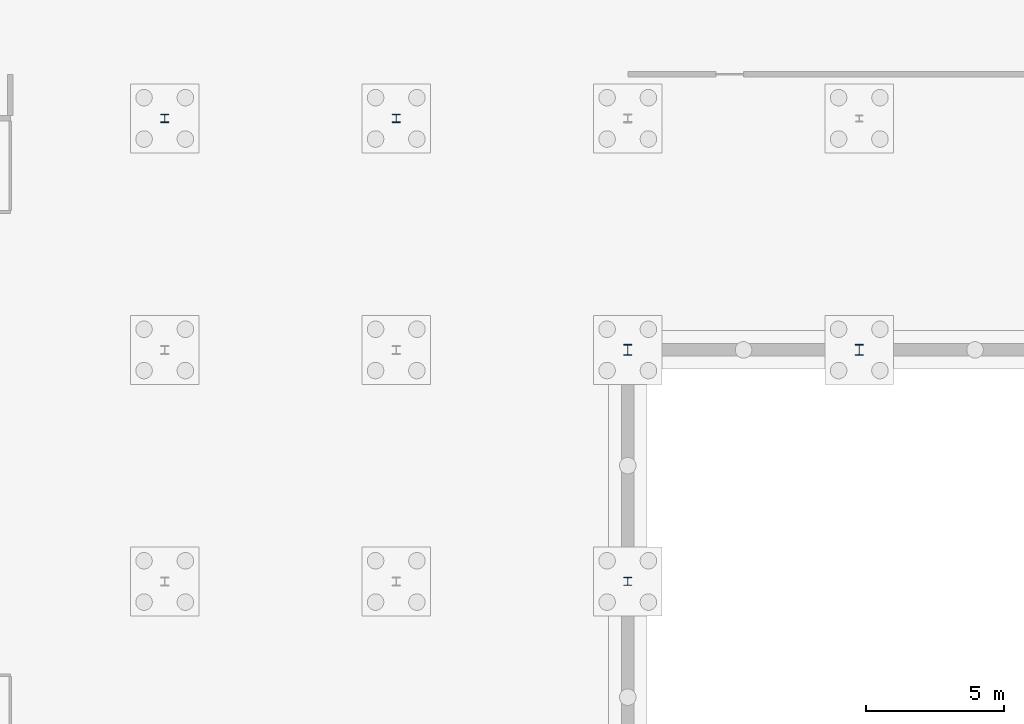
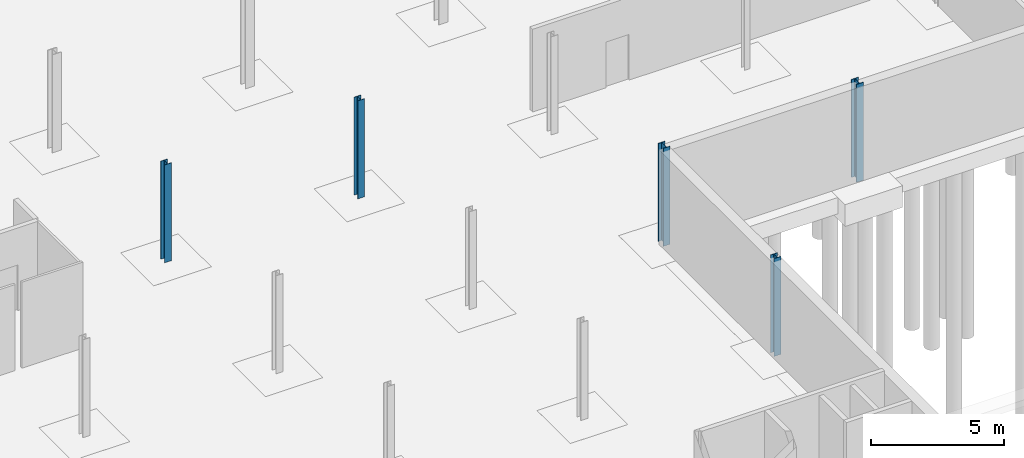
# One storey, part 6 of 35: 5 columns.
"""IFC4 building model written with IfcOpenShell, lengths in metres."""

import ifcopenshell
import ifcopenshell.guid

model = None  # the IFC model being written
_history = None  # IfcOwnerHistory: only IFC2X3 demands one
_inside = {}  # id of a spatial element -> (the spatial element, [elements in it])
_under = {}  # id of a project, library or spatial element -> (it, [spatial elements below it])
_declared = {}  # id of a project -> (the project, [libraries it declares])
_typed = {}  # id of a type object -> (the type object, [elements of that type])
_made_of = {}  # id of a material, layer set ... -> (it, [elements and type objects made of it])


def new_model(schema):
    """Start an empty IFC model of exactly this schema.

    Asked for "IFC4X3", IfcOpenShell would pick the latest addendum, in which some entities
    have other attributes; the version numbers below select the first issue.
    IFC2X3 requires an IfcOwnerHistory on every rooted entity: one is made here for all.
    """
    global model, _history
    if schema == "IFC4X3":
        model = ifcopenshell.file(schema_version=(4, 3, 0, 0))
    else:
        model = ifcopenshell.file(schema=schema)
    _inside.clear()
    _under.clear()
    _declared.clear()
    _typed.clear()
    _made_of.clear()
    _history = None
    if model.schema == "IFC2X3":
        org = make("IfcOrganization", Name="unknown")
        user = make(
            "IfcPersonAndOrganization",
            ThePerson=make("IfcPerson", FamilyName="unknown"),
            TheOrganization=org,
        )
        app = make(
            "IfcApplication",
            ApplicationDeveloper=org,
            Version="unknown",
            ApplicationFullName="unknown",
            ApplicationIdentifier="unknown",
        )
        _history = make(
            "IfcOwnerHistory",
            OwningUser=user,
            OwningApplication=app,
            ChangeAction="ADDED",
            CreationDate=0,
        )
    return model


def make(cls, **values):
    """One entity of the class cls with the attributes given. An attribute that is None is left unset."""
    return model.create_entity(
        cls, **{name: value for name, value in values.items() if value is not None}
    )


def rooted(cls, **values):
    """An entity with a GlobalId (a new one), such as an element, a storey or a relation."""
    return make(cls, GlobalId=ifcopenshell.guid.new(), OwnerHistory=_history, **values)


def si_unit(unit_type, name, prefix=None):
    """IfcSIUnit, for example si_unit("LENGTHUNIT", "METRE", prefix="MILLI")."""
    return make("IfcSIUnit", UnitType=unit_type, Prefix=prefix, Name=name)


def assignment(units):
    """IfcUnitAssignment: the units of a project."""
    return None if units is None else make("IfcUnitAssignment", Units=units)


def point(xyz):
    """IfcCartesianPoint."""
    return None if xyz is None else make("IfcCartesianPoint", Coordinates=xyz)


def direction(xyz):
    """IfcDirection."""
    return None if xyz is None else make("IfcDirection", DirectionRatios=xyz)


def frame(location, z_axis=None, x_axis=None):
    """IfcAxis2Placement3D, a coordinate frame: its origin and axes. An axis left out is left unset."""
    return make(
        "IfcAxis2Placement3D",
        Location=point(location),
        Axis=direction(z_axis),
        RefDirection=direction(x_axis),
    )


def frame_2d(location, x_axis=None):
    """IfcAxis2Placement2D, a coordinate frame in the plane: its origin and x axis."""
    return make(
        "IfcAxis2Placement2D", Location=point(location), RefDirection=direction(x_axis)
    )


def origin():
    """The frame at (0, 0, 0) with its axes left unset."""
    return frame((0.0, 0.0, 0.0))


def origin_2d():
    """The frame at (0, 0) in the plane with its x axis left unset."""
    return frame_2d((0.0, 0.0))


def place(relative_to, where):
    """IfcLocalPlacement: puts the frame where relative to a parent placement (None: the world)."""
    return make(
        "IfcLocalPlacement", PlacementRelTo=relative_to, RelativePlacement=where
    )


def context(
    kind, dimensions, precision=None, world=None, true_north=None, identifier=None
):
    """IfcGeometricRepresentationContext, for example the 3D "Model" context."""
    return make(
        "IfcGeometricRepresentationContext",
        ContextIdentifier=identifier,
        ContextType=kind,
        CoordinateSpaceDimension=dimensions,
        Precision=precision,
        WorldCoordinateSystem=world,
        TrueNorth=true_north,
    )


def subcontext(parent, identifier, kind, view, scale=None):
    """IfcGeometricRepresentationSubContext, for example "Body" below "Model"."""
    return make(
        "IfcGeometricRepresentationSubContext",
        ContextIdentifier=identifier,
        ContextType=kind,
        ParentContext=parent,
        TargetScale=scale,
        TargetView=view,
    )


def project(units=None, contexts=None):
    """IfcProject with its units and contexts."""
    return rooted(
        "IfcProject",
        Name="project",
        RepresentationContexts=contexts,
        UnitsInContext=assignment(units),
    )


def spatial(cls, under=None, at=None, **own):
    """A site, building, storey or space (cls), placed at a placement, below another one or the project."""
    s = rooted(cls, ObjectPlacement=at, **own)
    if under is not None:
        _under.setdefault(under.id(), (under, []))[1].append(s)
    return s


def profile(cls, at=None, kind="AREA", **sizes):
    """A parametric profile (cls). Its sizes go by their IFC names, for example OverallWidth=200.0."""
    return make(cls, ProfileType=kind, Position=at, **sizes)


def i_section(**sizes):
    """IfcIShapeProfileDef."""
    return profile("IfcIShapeProfileDef", **sizes)


def extrude(swept, where, along, depth):
    """IfcExtrudedAreaSolid: the profile swept, set in the frame where, extruded along a direction by depth."""
    return make(
        "IfcExtrudedAreaSolid",
        SweptArea=swept,
        Position=where,
        ExtrudedDirection=direction(along),
        Depth=depth,
    )


def shape(context_of_items, identifier, shape_type, items):
    """IfcShapeRepresentation: the items that make up one representation, for example the "Body"."""
    return make(
        "IfcShapeRepresentation",
        ContextOfItems=context_of_items,
        RepresentationIdentifier=identifier,
        RepresentationType=shape_type,
        Items=items,
    )


def material(Name=None, Category=None):
    """IfcMaterial."""
    return make("IfcMaterial", Name=Name, Category=Category)


def material_profile(
    of_material, cross_section, Name=None, Category=None, Priority=None
):
    """IfcMaterialProfile: a cross section and its material."""
    return make(
        "IfcMaterialProfile",
        Name=Name,
        Material=of_material,
        Profile=cross_section,
        Priority=Priority,
        Category=Category,
    )


def profile_set(profiles, Name=None, composite=None):
    """IfcMaterialProfileSet."""
    return make(
        "IfcMaterialProfileSet",
        Name=Name,
        MaterialProfiles=profiles,
        CompositeProfile=composite,
    )


def made_of(thing, what):
    """Note that an element or type object is made of a material, layer set ...; save() writes the relation."""
    if what is not None:
        _made_of.setdefault(what.id(), (what, []))[1].append(thing)
    return thing


def type_object(cls, material=None, **own):
    """A type object (cls), such as IfcWallType, which elements share."""
    return made_of(rooted(cls, **own), material)


def element(
    cls,
    number,
    at=None,
    inside=None,
    cuts=None,
    type_object=None,
    material=None,
    context=None,
    identifier="Body",
    shape_type=None,
    held_by="IfcProductDefinitionShape",
    body=None,
    shapes=None,
    **own,
):
    """One element of the class cls, such as IfcWall. Its Tag is "e" and its number.

    at: its placement. inside: the storey or other place that contains it. cuts: it is an
    opening in that element (IfcRelVoidsElement). A single representation is given by context,
    identifier, shape_type and body (its items); several are given by shapes. held_by: the class
    of the entity that holds the representations. save() writes the other relations.
    """
    e = rooted(cls, Tag="e%d" % number, ObjectPlacement=at, **own)
    if body is not None:
        shapes = [shape(context, identifier, shape_type, body)]
    if shapes is not None:
        e.Representation = make(held_by, Representations=shapes)
    if inside is not None:
        _inside.setdefault(inside.id(), (inside, []))[1].append(e)
    if cuts is not None:
        rooted(
            "IfcRelVoidsElement", RelatingBuildingElement=cuts, RelatedOpeningElement=e
        )
    if type_object is not None:
        _typed.setdefault(type_object.id(), (type_object, []))[1].append(e)
    return made_of(e, material)


def aggregate(whole, parts):
    """IfcRelAggregates: a whole, such as a stair, and the parts it consists of."""
    return rooted("IfcRelAggregates", RelatingObject=whole, RelatedObjects=parts)


def save(model, path):
    """Write the relations noted so far, then the file.

    IfcRelAggregates (storeys below a building ...), IfcRelContainedInSpatialStructure (elements
    in a storey), IfcRelDefinesByType, IfcRelAssociatesMaterial and IfcRelDeclares: one each for
    every whole, place, type object, material and project.
    """
    for whole, parts in _under.values():
        aggregate(whole, parts)
    for where, things in _inside.values():
        rooted(
            "IfcRelContainedInSpatialStructure",
            RelatedElements=things,
            RelatingStructure=where,
        )
    for kind, things in _typed.values():
        rooted("IfcRelDefinesByType", RelatedObjects=things, RelatingType=kind)
    for what, things in _made_of.values():
        rooted("IfcRelAssociatesMaterial", RelatedObjects=things, RelatingMaterial=what)
    for by, libraries in _declared.values():
        rooted("IfcRelDeclares", RelatingContext=by, RelatedDefinitions=libraries)
    model.write(path)


model = new_model("IFC4")

# Units and contexts
model_context = context("Model", 3, precision=1e-05, world=origin(), true_north=direction((0.0, 1.0)))
body_context = subcontext(model_context, "Body", "Model", "MODEL_VIEW")
ifc_project = project(units=[si_unit("LENGTHUNIT", "METRE"), si_unit("AREAUNIT", "SQUARE_METRE"), si_unit("VOLUMEUNIT", "CUBIC_METRE"), si_unit("PLANEANGLEUNIT", "RADIAN"), si_unit("MASSUNIT", "GRAM", prefix="KILO")], contexts=[model_context])

# Site, building, storey
site_placement = place(None, origin())
site = spatial("IfcSite", under=ifc_project, at=site_placement, CompositionType="ELEMENT")
building_placement = place(site_placement, origin())
building = spatial("IfcBuilding", under=site, at=building_placement, Name="Ardhachandra Cancer Care Centre", CompositionType="ELEMENT")
storey_placement = place(building_placement, frame((0.0, 0.0, -4.5)))
storey = spatial("IfcBuildingStorey", under=building, at=storey_placement, Name="B1", CompositionType="ELEMENT", Elevation=-4.5)

# Columns
ifc_material_1 = material(Name="Steel E350 (IS 2062)", Category="steel")
ifc_material_profile_1 = material_profile(ifc_material_1, i_section(OverallWidth=0.300048828125, OverallDepth=0.300048828125, WebThickness=0.010986328125, FlangeThickness=0.01904296875, FilletRadius=0.027099609375, at=origin_2d()), Name="WPB 300x300x117.03")
ifc_profile_set_1 = profile_set([ifc_material_profile_1], Name="Steel E350 (IS 2062)")
column_type_1 = type_object("IfcColumnType", Name="Column WPB 300x300x117.03", PredefinedType="COLUMN", material=ifc_profile_set_1)
for number, where, z_axis, x_axis, name in (
    (1, (27.60009765625, 63.0, 0.0), (0.0, 0.0, 1.0), (1.0, 0.0, 0.0), "Column G3 B1"),
    (2, (36.0, 63.0, 0.0), (0.0, 0.0, 1.0), (1.0, 0.0, 0.0), "Column G4 B1"),
):
    element("IfcColumn", number, at=place(storey_placement, frame(where, z_axis=z_axis, x_axis=x_axis)), inside=storey, type_object=column_type_1, Name=name, PredefinedType="COLUMN", context=body_context, shape_type="SweptSolid", body=[
        extrude(i_section(OverallWidth=0.300048828125, OverallDepth=0.300048828125, WebThickness=0.010986328125, FlangeThickness=0.01904296875, FilletRadius=0.027099609375, at=origin_2d()), origin(), (0.0, 0.0, 1.0), 4.5),
    ])
ifc_material_2 = material(Name="Steel E350 (IS 2062)", Category="steel")
ifc_material_profile_2 = material_profile(ifc_material_2, i_section(OverallWidth=0.300048828125, OverallDepth=0.2900390625, WebThickness=0.008544921875, FlangeThickness=0.013916015625, FilletRadius=0.027099609375, at=origin_2d()), Name="WPB 300x300x88.33")
ifc_profile_set_2 = profile_set([ifc_material_profile_2], Name="Steel E350 (IS 2062)")
column_type_2 = type_object("IfcColumnType", Name="Column WPB 300x300x88.33", PredefinedType="COLUMN", material=ifc_profile_set_2)
column_placement = place(storey_placement, frame((44.39990234375, 46.199951171875, 0.0), z_axis=(0.0, 0.0, 1.0), x_axis=(1.0, 0.0, 0.0)))
element("IfcColumn", 3, at=column_placement, inside=storey, type_object=column_type_2, Name="Column E5 B1", PredefinedType="COLUMN", context=body_context, shape_type="SweptSolid", body=[
    extrude(i_section(OverallWidth=0.300048828125, OverallDepth=0.2900390625, WebThickness=0.008544921875, FlangeThickness=0.013916015625, FilletRadius=0.027099609375, at=origin_2d()), origin(), (0.0, 0.0, 1.0), 4.5),
])
ifc_material_3 = material(Name="Steel E350 (IS 2062)", Category="steel")
ifc_material_profile_3 = material_profile(ifc_material_3, i_section(OverallWidth=0.300048828125, OverallDepth=0.39990234375, WebThickness=0.013427734375, FlangeThickness=0.02392578125, FilletRadius=0.027099609375, at=origin_2d()), Name="WPB 400x300x155.26")
ifc_profile_set_3 = profile_set([ifc_material_profile_3], Name="Steel E350 (IS 2062)")
column_type_3 = type_object("IfcColumnType", Name="Column WPB 400x300x155.26", PredefinedType="COLUMN", material=ifc_profile_set_3)
for number, where, z_axis, x_axis, name in (
    (4, (44.39990234375, 54.60009765625, 0.0), (0.0, 0.0, 1.0), (1.0, 0.0, 0.0), "Column F5 B1"),
    (5, (52.800048828125, 54.60009765625, 0.0), (0.0, 0.0, 1.0), (1.0, 0.0, 0.0), "Column F6 B1"),
):
    element("IfcColumn", number, at=place(storey_placement, frame(where, z_axis=z_axis, x_axis=x_axis)), inside=storey, type_object=column_type_3, Name=name, PredefinedType="COLUMN", context=body_context, shape_type="SweptSolid", body=[
        extrude(i_section(OverallWidth=0.300048828125, OverallDepth=0.39990234375, WebThickness=0.013427734375, FlangeThickness=0.02392578125, FilletRadius=0.027099609375, at=origin_2d()), origin(), (0.0, 0.0, 1.0), 4.5),
    ])

save(model, "model.ifc")
